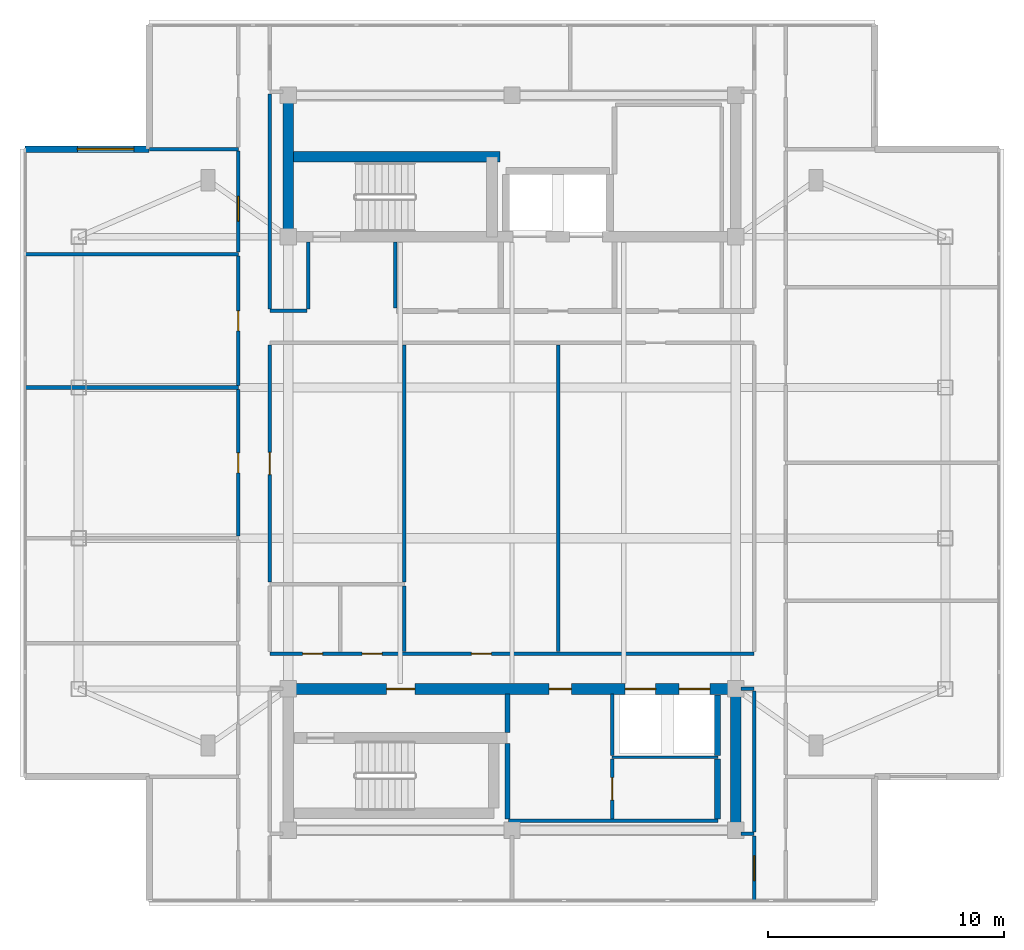
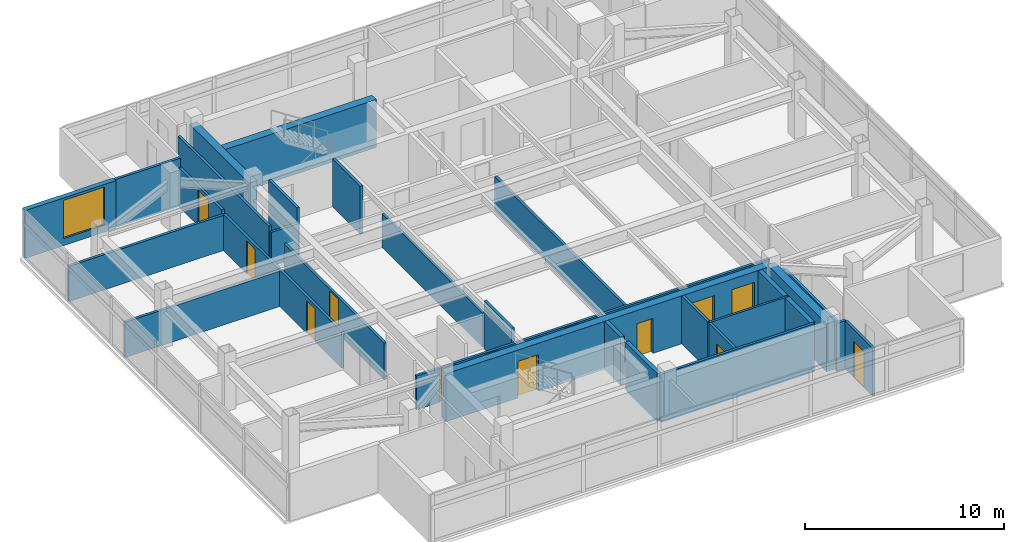
# One storey, part 6 of 11: 32 walls, 13 doors, 1 window, 14 openings.
"""IFC4 building model written with IfcOpenShell, lengths in metres."""

from ifc_helpers import new_model, si_unit, direction, frame, frame_2d, origin, place, context, subcontext, project, spatial, rectangle, extrude, material, layer, layer_set, type_object, element, fill, save


model = new_model("IFC4")

# Units and contexts
model_context = context("Model", 3, precision=1e-05, world=origin(), true_north=direction((0.0, 1.0)))
body_context = subcontext(model_context, "Body", "Model", "MODEL_VIEW")
ifc_project = project(units=[si_unit("LENGTHUNIT", "METRE"), si_unit("AREAUNIT", "SQUARE_METRE"), si_unit("VOLUMEUNIT", "CUBIC_METRE"), si_unit("PLANEANGLEUNIT", "RADIAN"), si_unit("MASSUNIT", "GRAM", prefix="KILO")], contexts=[model_context])

# Site, building, storey
site_placement = place(None, origin())
site = spatial("IfcSite", under=ifc_project, at=site_placement, CompositionType="ELEMENT")
building_placement = place(site_placement, origin())
building = spatial("IfcBuilding", under=site, at=building_placement, Name="Mirazonda Arch Towers", CompositionType="ELEMENT")
storey_placement = place(building_placement, frame((0.0, 0.0, 259.89990234375)))
storey = spatial("IfcBuildingStorey", under=building, at=storey_placement, Name="L74", CompositionType="ELEMENT", Elevation=259.89990234375)

# Walls
ifc_material_1 = material(Name="Concrete C50/60", Category="concrete")
ifc_layer_1 = layer(ifc_material_1, 0.449951171875, Name="WALL-CORE-450")
ifc_layer_set_1 = layer_set([ifc_layer_1], Name="Concrete C50/60")
wall_type_1 = type_object("IfcWallType", Name="WALL-CORE-450", PredefinedType="SHEAR", material=ifc_layer_set_1)
wall_1_placement = place(storey_placement, frame((11.0, 37.60009765625, 0.0), z_axis=(0.0, 0.0, 1.0), x_axis=(0.0, 1.0, 0.0)))
element("IfcWall", 1, at=wall_1_placement, inside=storey, type_object=wall_type_1, Name="L74 T1N-W Core Shear Wall", PredefinedType="SHEAR", context=body_context, shape_type="SweptSolid", body=[
    extrude(rectangle(XDim=6.0, YDim=0.449951171875, at=frame_2d((3.0, 0.0))), origin(), (0.0, 0.0, 1.0), 2.9501953125),
])
wall_2_placement = place(storey_placement, frame((11.0, 40.992919921875, 0.0), z_axis=(0.0, 0.0, 1.0), x_axis=(1.0, 0.0, 0.0)))
element("IfcWall", 2, at=wall_2_placement, inside=storey, type_object=wall_type_1, Name="L74 T1N-STN Core Shear Wall", PredefinedType="SHEAR", context=body_context, shape_type="SweptSolid", body=[
    extrude(rectangle(XDim=9.0, YDim=0.449951171875, at=frame_2d((4.5, 0.0))), origin(), (0.0, 0.0, 1.0), 2.9501953125),
])
wall_3_placement = place(storey_placement, frame((30.0, 12.39990234375, 0.0), z_axis=(0.0, 0.0, 1.0), x_axis=(0.0, 1.0, 0.0)))
element("IfcWall", 3, at=wall_3_placement, inside=storey, type_object=wall_type_1, Name="L74 T1S-E Core Shear Wall", PredefinedType="SHEAR", context=body_context, shape_type="SweptSolid", body=[
    extrude(rectangle(XDim=6.0, YDim=0.449951171875, at=frame_2d((3.0, 0.0))), origin(), (0.0, 0.0, 1.0), 2.9501953125),
])

# Wall, openings, doors
wall_4_placement = place(storey_placement, frame((11.0, 18.39990234375, 0.0), z_axis=(0.0, 0.0, 1.0), x_axis=(1.0, 0.0, 0.0)))
wall_4 = element("IfcWall", 4, at=wall_4_placement, inside=storey, type_object=wall_type_1, Name="L74 T1S-N Core Shear Wall", PredefinedType="SHEAR", context=body_context, shape_type="SweptSolid", body=[
    extrude(rectangle(XDim=19.0, YDim=0.449951171875, at=frame_2d((9.5, 0.0))), origin(), (0.0, 0.0, 1.0), 2.9501953125),
])
opening_1_placement = place(wall_4_placement, frame((4.175048828125, 0.0, 0.0)))
opening_1 = element("IfcOpeningElement", 5, at=opening_1_placement, cuts=wall_4, Name="Opening DR-117", PredefinedType="OPENING", context=body_context, shape_type="SweptSolid", body=[
    extrude(rectangle(XDim=1.199951171875, YDim=2.25, at=frame_2d((0.60009765625, 1.125))), frame((0.0, 0.23486328125, 0.0), z_axis=(0.0, -1.0, 0.0), x_axis=(1.0, 0.0, 0.0)), (0.0, 0.0, 1.0), 0.469970703125),
])
opening_2_placement = place(wall_4_placement, frame((11.074951171875, 0.0, 0.0)))
opening_2 = element("IfcOpeningElement", 6, at=opening_2_placement, cuts=wall_4, Name="Opening DR-104", PredefinedType="OPENING", context=body_context, shape_type="SweptSolid", body=[
    extrude(rectangle(XDim=0.949951171875, YDim=2.14990234375, at=frame_2d((0.47509765625, 1.074951171875))), frame((0.0, 0.23486328125, 0.0), z_axis=(0.0, -1.0, 0.0), x_axis=(1.0, 0.0, 0.0)), (0.0, 0.0, 1.0), 0.469970703125),
])
opening_3_placement = place(wall_4_placement, frame((14.300048828125, 0.0, 0.0)))
opening_3 = element("IfcOpeningElement", 7, at=opening_3_placement, cuts=wall_4, Name="Opening LD-111", PredefinedType="OPENING", context=body_context, shape_type="SweptSolid", body=[
    extrude(rectangle(XDim=1.300048828125, YDim=2.300048828125, at=frame_2d((0.64990234375, 1.14990234375))), frame((0.0, 0.23486328125, 0.0), z_axis=(0.0, -1.0, 0.0), x_axis=(1.0, 0.0, 0.0)), (0.0, 0.0, 1.0), 0.469970703125),
])
opening_4_placement = place(wall_4_placement, frame((16.60009765625, 0.0, 0.0)))
opening_4 = element("IfcOpeningElement", 8, at=opening_4_placement, cuts=wall_4, Name="Opening LD-111", PredefinedType="OPENING", context=body_context, shape_type="SweptSolid", body=[
    extrude(rectangle(XDim=1.300048828125, YDim=2.300048828125, at=frame_2d((0.64990234375, 1.14990234375))), frame((0.0, 0.23486328125, 0.0), z_axis=(0.0, -1.0, 0.0), x_axis=(1.0, 0.0, 0.0)), (0.0, 0.0, 1.0), 0.469970703125),
])
ifc_material_2 = material(Name="Architectural Brushed Steel S355", Category="steel")
door_type_1 = type_object("IfcDoorType", Name="DOOR-FFL-FD90-1200", OperationType="NOTDEFINED", PredefinedType="DOOR", material=ifc_material_2)
door_1_placement = place(opening_1_placement, origin())
door_1 = element("IfcDoor", 9, at=door_1_placement, inside=storey, type_object=door_type_1, Name="L74 South Core Stair & Lift Lobby Door", OperationType="SINGLE_SWING_RIGHT", OverallHeight=2.25, OverallWidth=1.199951171875, PredefinedType="DOOR", context=body_context, shape_type="SweptSolid", body=[
    extrude(rectangle(XDim=1.199951171875, YDim=2.25, at=frame_2d((0.60009765625, 1.125))), frame((0.0, 0.02490234375, 0.0), z_axis=(0.0, -1.0, 0.0), x_axis=(1.0, 0.0, 0.0)), (0.0, 0.0, 1.0), 0.050048828125),
])
fill(opening_1, door_1)
door_type_2 = type_object("IfcDoorType", Name="DOOR-LIFT-LAND-1300", OperationType="NOTDEFINED", PredefinedType="DOOR", material=ifc_material_2)
door_2_placement = place(opening_3_placement, origin())
door_2 = element("IfcDoor", 10, at=door_2_placement, inside=storey, type_object=door_type_2, Name="L74 Lift Landing Sliding Door PL-T1H1", OperationType="DOUBLE_DOOR_SLIDING", OverallHeight=2.300048828125, OverallWidth=1.300048828125, PredefinedType="DOOR", context=body_context, shape_type="SweptSolid", body=[
    extrude(rectangle(XDim=1.300048828125, YDim=2.300048828125, at=frame_2d((0.64990234375, 1.14990234375))), frame((0.0, 0.02490234375, 0.0), z_axis=(0.0, -1.0, 0.0), x_axis=(1.0, 0.0, 0.0)), (0.0, 0.0, 1.0), 0.050048828125),
])
fill(opening_3, door_2)
door_3_placement = place(opening_4_placement, origin())
door_3 = element("IfcDoor", 11, at=door_3_placement, inside=storey, type_object=door_type_2, Name="L74 Lift Landing Sliding Door PL-T1H2", OperationType="DOUBLE_DOOR_SLIDING", OverallHeight=2.300048828125, OverallWidth=1.300048828125, PredefinedType="DOOR", context=body_context, shape_type="SweptSolid", body=[
    extrude(rectangle(XDim=1.300048828125, YDim=2.300048828125, at=frame_2d((0.64990234375, 1.14990234375))), frame((0.0, 0.02490234375, 0.0), z_axis=(0.0, -1.0, 0.0), x_axis=(1.0, 0.0, 0.0)), (0.0, 0.0, 1.0), 0.050048828125),
])
fill(opening_4, door_3)
door_type_3 = type_object("IfcDoorType", Name="DOOR-ROOM-950", OperationType="NOTDEFINED", PredefinedType="DOOR", material=ifc_material_2)
door_4_placement = place(opening_2_placement, origin())
door_4 = element("IfcDoor", 12, at=door_4_placement, inside=storey, type_object=door_type_3, Name="L74 Residents Wine Tasting Lounge Door", OperationType="SINGLE_SWING_RIGHT", OverallHeight=2.14990234375, OverallWidth=0.949951171875, PredefinedType="DOOR", context=body_context, shape_type="SweptSolid", body=[
    extrude(rectangle(XDim=0.949951171875, YDim=2.14990234375, at=frame_2d((0.47509765625, 1.074951171875))), frame((0.0, 0.02490234375, 0.0), z_axis=(0.0, -1.0, 0.0), x_axis=(1.0, 0.0, 0.0)), (0.0, 0.0, 1.0), 0.050048828125),
])
fill(opening_2, door_4)

# Wall, opening, window
ifc_material_3 = material(Name="Precast Concrete C40/50", Category="concrete")
ifc_layer_2 = layer(ifc_material_3, 0.280029296875, Name="WALL-EXT-WALL-280")
ifc_layer_set_2 = layer_set([ifc_layer_2], Name="Precast Concrete C40/50")
wall_type_2 = type_object("IfcWallType", Name="WALL-EXT-WALL-280", PredefinedType="SOLIDWALL", material=ifc_layer_set_2)
wall_5_placement = place(storey_placement, frame((5.094970703125, 41.319091796875, 0.0), z_axis=(0.0, 0.0, 1.0), x_axis=(-1.0, 0.0, 0.0)))
wall_5 = element("IfcWall", 13, at=wall_5_placement, inside=storey, type_object=wall_type_2, Name="L74 T1 Corner Notch Return Wall WL-L74-T1-CNW1", PredefinedType="SOLIDWALL", context=body_context, shape_type="SweptSolid", body=[
    extrude(rectangle(XDim=5.264892578125, YDim=0.280029296875, at=frame_2d((2.63232421875, 0.0))), origin(), (0.0, 0.0, 1.0), 2.93017578125),
])
opening_5_placement = place(wall_5_placement, frame((0.64990234375, 0.0, 0.429931640625)))
opening_5 = element("IfcOpeningElement", 14, at=opening_5_placement, cuts=wall_5, Name="Opening WN-121", PredefinedType="OPENING", context=body_context, shape_type="SweptSolid", body=[
    extrude(rectangle(XDim=2.39990234375, YDim=2.35009765625, at=frame_2d((1.199951171875, 1.175048828125))), frame((0.0, 0.14990234375, 0.0), z_axis=(0.0, -1.0, 0.0), x_axis=(1.0, 0.0, 0.0)), (0.0, 0.0, 1.0), 0.300048828125),
])
ifc_material_4 = material(Name="Insulated Low-E Solar Glass", Category="glass")
window_type = type_object("IfcWindowType", Name="WIN-PENT-2400x2350", PartitioningType="SINGLE_PANEL", PredefinedType="WINDOW", material=ifc_material_4)
window_placement = place(opening_5_placement, origin())
window = element("IfcWindow", 15, at=window_placement, inside=storey, type_object=window_type, Name="L74 Punched Facade Window WN-L74-T1-CNW1", OverallHeight=2.35009765625, OverallWidth=2.39990234375, PartitioningType="SINGLE_PANEL", PredefinedType="WINDOW", context=body_context, shape_type="SweptSolid", body=[
    extrude(rectangle(XDim=2.39990234375, YDim=2.35009765625, at=frame_2d((1.199951171875, 1.175048828125))), frame((0.0, 0.030029296875, 0.0), z_axis=(0.0, -1.0, 0.0), x_axis=(1.0, 0.0, 0.0)), (0.0, 0.0, 1.0), 0.06005859375),
])
fill(opening_5, window)

# Walls
ifc_material_5 = material(Name="Concrete C40/50", Category="concrete")
ifc_layer_3 = layer(ifc_material_5, 0.219970703125, Name="WALL-FFL-220")
ifc_layer_set_3 = layer_set([ifc_layer_3], Name="Concrete C40/50")
wall_type_3 = type_object("IfcWallType", Name="WALL-FFL-220", PredefinedType="SOLIDWALL", material=ifc_layer_set_3)
wall_6_placement = place(storey_placement, frame((20.31494140625, 12.885009765625, 0.0), z_axis=(0.0, 0.0, 1.0), x_axis=(0.0, 1.0, 0.0)))
element("IfcWall", 16, at=wall_6_placement, inside=storey, type_object=wall_type_3, Name="L74 Interior Partition 049", PredefinedType="SOLIDWALL", context=body_context, shape_type="SweptSolid", body=[
    extrude(rectangle(XDim=3.199951171875, YDim=0.219970703125, at=frame_2d((1.60009765625, 0.0))), origin(), (0.0, 0.0, 1.0), 2.9501953125),
])
wall_7_placement = place(storey_placement, frame((20.31494140625, 16.554931640625, 0.0), z_axis=(0.0, 0.0, 1.0), x_axis=(0.0, 1.0, 0.0)))
element("IfcWall", 17, at=wall_7_placement, inside=storey, type_object=wall_type_3, Name="L74 Interior Partition 050", PredefinedType="SOLIDWALL", context=body_context, shape_type="SweptSolid", body=[
    extrude(rectangle(XDim=1.625, YDim=0.219970703125, at=frame_2d((0.8125, 0.0))), origin(), (0.0, 0.0, 1.0), 2.9501953125),
])
ifc_material_6 = material(Name="Fire-Rated Gypsum Stud Partition")
ifc_layer_4 = layer(ifc_material_6, 0.14990234375, Name="WALL-PART-CORR-150")
ifc_layer_set_4 = layer_set([ifc_layer_4], Name="Fire-Rated Gypsum Stud Partition")
wall_type_4 = type_object("IfcWallType", Name="WALL-PART-CORR-150", PredefinedType="PARTITIONING", material=ifc_layer_set_4)
wall_8_placement = place(storey_placement, frame((30.219970703125, 12.25, 0.0), z_axis=(0.0, 0.0, 1.0), x_axis=(1.0, 0.0, 0.0)))
element("IfcWall", 18, at=wall_8_placement, inside=storey, type_object=wall_type_4, Name="L74 Interior Partition 002", PredefinedType="PARTITIONING", context=body_context, shape_type="SweptSolid", body=[
    extrude(rectangle(XDim=0.56005859375, YDim=0.14990234375, at=frame_2d((0.280029296875, 0.0))), origin(), (0.0, 0.0, 1.0), 2.9501953125),
])
wall_9_placement = place(storey_placement, frame((20.35009765625, 12.800048828125, 0.0), z_axis=(0.0, 0.0, 1.0), x_axis=(1.0, 0.0, 0.0)))
element("IfcWall", 19, at=wall_9_placement, inside=storey, type_object=wall_type_4, Name="L74 Interior Partition 003", PredefinedType="PARTITIONING", context=body_context, shape_type="SweptSolid", body=[
    extrude(rectangle(XDim=8.89990234375, YDim=0.14990234375, at=frame_2d((4.449951171875, 0.0))), origin(), (0.0, 0.0, 1.0), 2.9501953125),
])
wall_10_placement = place(storey_placement, frame((30.219970703125, 18.39990234375, 0.0), z_axis=(0.0, 0.0, 1.0), x_axis=(1.0, 0.0, 0.0)))
element("IfcWall", 20, at=wall_10_placement, inside=storey, type_object=wall_type_4, Name="L74 Interior Partition 010", PredefinedType="PARTITIONING", context=body_context, shape_type="SweptSolid", body=[
    extrude(rectangle(XDim=0.56005859375, YDim=0.14990234375, at=frame_2d((0.280029296875, 0.0))), origin(), (0.0, 0.0, 1.0), 2.39306640625),
])

# Wall, openings, doors
wall_11_placement = place(storey_placement, frame((10.219970703125, 19.89990234375, 0.0), z_axis=(0.0, 0.0, 1.0), x_axis=(1.0, 0.0, 0.0)))
wall_11 = element("IfcWall", 21, at=wall_11_placement, inside=storey, type_object=wall_type_4, Name="L74 Interior Partition 011", PredefinedType="PARTITIONING", context=body_context, shape_type="SweptSolid", body=[
    extrude(rectangle(XDim=20.56005859375, YDim=0.14990234375, at=frame_2d((10.280029296875, 0.0))), origin(), (0.0, 0.0, 1.0), 2.086181640625),
])
opening_6_placement = place(wall_11_placement, frame((1.385009765625, 0.0, 0.0)))
opening_6 = element("IfcOpeningElement", 22, at=opening_6_placement, cuts=wall_11, Name="Opening DR-128", PredefinedType="OPENING", context=body_context, shape_type="SweptSolid", body=[
    extrude(rectangle(XDim=0.85009765625, YDim=2.010009765625, at=frame_2d((0.425048828125, 1.0048828125))), frame((0.0, 0.0849609375, 0.0), z_axis=(0.0, -1.0, 0.0), x_axis=(1.0, 0.0, 0.0)), (0.0, 0.0, 1.0), 0.169921875),
])
opening_7_placement = place(wall_11_placement, frame((3.919921875, 0.0, 0.0)))
opening_7 = element("IfcOpeningElement", 23, at=opening_7_placement, cuts=wall_11, Name="Opening DR-128", PredefinedType="OPENING", context=body_context, shape_type="SweptSolid", body=[
    extrude(rectangle(XDim=0.85009765625, YDim=2.010009765625, at=frame_2d((0.425048828125, 1.0048828125))), frame((0.0, 0.0849609375, 0.0), z_axis=(0.0, -1.0, 0.0), x_axis=(1.0, 0.0, 0.0)), (0.0, 0.0, 1.0), 0.169921875),
])
opening_8_placement = place(wall_11_placement, frame((8.552001953125, 0.0, 0.0)))
opening_8 = element("IfcOpeningElement", 24, at=opening_8_placement, cuts=wall_11, Name="Opening DR-128", PredefinedType="OPENING", context=body_context, shape_type="SweptSolid", body=[
    extrude(rectangle(XDim=0.85009765625, YDim=2.010009765625, at=frame_2d((0.425048828125, 1.0048828125))), frame((0.0, 0.0849609375, 0.0), z_axis=(0.0, -1.0, 0.0), x_axis=(1.0, 0.0, 0.0)), (0.0, 0.0, 1.0), 0.169921875),
])
door_type_4 = type_object("IfcDoorType", Name="DOOR-RISER-FD60-850", OperationType="NOTDEFINED", PredefinedType="DOOR", material=ifc_material_2)
door_5_placement = place(opening_6_placement, origin())
door_5 = element("IfcDoor", 25, at=door_5_placement, inside=storey, type_object=door_type_4, Name="L74 Common Accessible WC Door", OperationType="SINGLE_SWING_RIGHT", OverallHeight=2.010009765625, OverallWidth=0.85009765625, PredefinedType="DOOR", context=body_context, shape_type="SweptSolid", body=[
    extrude(rectangle(XDim=0.85009765625, YDim=2.010009765625, at=frame_2d((0.425048828125, 1.0048828125))), frame((0.0, 0.02490234375, 0.0), z_axis=(0.0, -1.0, 0.0), x_axis=(1.0, 0.0, 0.0)), (0.0, 0.0, 1.0), 0.050048828125),
])
fill(opening_6, door_5)
door_6_placement = place(opening_7_placement, origin())
door_6 = element("IfcDoor", 26, at=door_6_placement, inside=storey, type_object=door_type_4, Name="L74 L74 West Courtyard Study Door", OperationType="SINGLE_SWING_RIGHT", OverallHeight=2.010009765625, OverallWidth=0.85009765625, PredefinedType="DOOR", context=body_context, shape_type="SweptSolid", body=[
    extrude(rectangle(XDim=0.85009765625, YDim=2.010009765625, at=frame_2d((0.425048828125, 1.0048828125))), frame((0.0, 0.02490234375, 0.0), z_axis=(0.0, -1.0, 0.0), x_axis=(1.0, 0.0, 0.0)), (0.0, 0.0, 1.0), 0.050048828125),
])
fill(opening_7, door_6)
door_7_placement = place(opening_8_placement, origin())
door_7 = element("IfcDoor", 27, at=door_7_placement, inside=storey, type_object=door_type_4, Name="L74 Sky-Atrium Orientation Gallery Door", OperationType="SINGLE_SWING_RIGHT", OverallHeight=2.010009765625, OverallWidth=0.85009765625, PredefinedType="DOOR", context=body_context, shape_type="SweptSolid", body=[
    extrude(rectangle(XDim=0.85009765625, YDim=2.010009765625, at=frame_2d((0.425048828125, 1.0048828125))), frame((0.0, 0.02490234375, 0.0), z_axis=(0.0, -1.0, 0.0), x_axis=(1.0, 0.0, 0.0)), (0.0, 0.0, 1.0), 0.050048828125),
])
fill(opening_8, door_7)

# Walls
wall_12_placement = place(storey_placement, frame((-0.169921875, 31.199951171875, 0.0), z_axis=(0.0, 0.0, 1.0), x_axis=(1.0, 0.0, 0.0)))
element("IfcWall", 28, at=wall_12_placement, inside=storey, type_object=wall_type_4, Name="L74 Interior Partition 017", PredefinedType="PARTITIONING", context=body_context, shape_type="SweptSolid", body=[
    extrude(rectangle(XDim=9.0498046875, YDim=0.14990234375, at=frame_2d((4.52490234375, 0.0))), origin(), (0.0, 0.0, 1.0), 2.169189453125),
])
wall_13_placement = place(storey_placement, frame((10.219970703125, 34.449951171875, 0.0), z_axis=(0.0, 0.0, 1.0), x_axis=(1.0, 0.0, 0.0)))
element("IfcWall", 29, at=wall_13_placement, inside=storey, type_object=wall_type_4, Name="L74 Interior Partition 019", PredefinedType="PARTITIONING", context=body_context, shape_type="SweptSolid", body=[
    extrude(rectangle(XDim=1.580078125, YDim=0.14990234375, at=frame_2d((0.7900390625, 0.0))), origin(), (0.0, 0.0, 1.0), 2.086181640625),
])
wall_14_placement = place(storey_placement, frame((-0.169921875, 36.866943359375, 0.0), z_axis=(0.0, 0.0, 1.0), x_axis=(1.0, 0.0, 0.0)))
element("IfcWall", 30, at=wall_14_placement, inside=storey, type_object=wall_type_4, Name="L74 Interior Partition 022", PredefinedType="PARTITIONING", context=body_context, shape_type="SweptSolid", body=[
    extrude(rectangle(XDim=9.0498046875, YDim=0.14990234375, at=frame_2d((4.52490234375, 0.0))), origin(), (0.0, 0.0, 1.0), 2.169189453125),
])
wall_15_placement = place(storey_placement, frame((5.114990234375, 41.319091796875, 0.0), z_axis=(0.0, 0.0, 1.0), x_axis=(1.0, 0.0, 0.0)))
element("IfcWall", 31, at=wall_15_placement, inside=storey, type_object=wall_type_4, Name="L74 Interior Partition 024", PredefinedType="PARTITIONING", context=body_context, shape_type="SweptSolid", body=[
    extrude(rectangle(XDim=3.764892578125, YDim=0.14990234375, at=frame_2d((1.88232421875, 0.0))), origin(), (0.0, 0.0, 1.0), 2.9501953125),
])

# Wall, opening, door
wall_16_placement = place(storey_placement, frame((8.8798828125, 24.885009765625, 0.0), z_axis=(0.0, 0.0, 1.0), x_axis=(0.0, 1.0, 0.0)))
wall_16 = element("IfcWall", 32, at=wall_16_placement, inside=storey, type_object=wall_type_4, Name="L74 Interior Partition 032", PredefinedType="PARTITIONING", context=body_context, shape_type="SweptSolid", body=[
    extrude(rectangle(XDim=6.22998046875, YDim=0.14990234375, at=frame_2d((3.114990234375, 0.0))), origin(), (0.0, 0.0, 1.0), 2.24609375),
])
opening_9_placement = place(wall_16_placement, frame((2.68994140625, 0.0, 0.0)))
opening_9 = element("IfcOpeningElement", 33, at=opening_9_placement, cuts=wall_16, Name="Opening DR-128", PredefinedType="OPENING", context=body_context, shape_type="SweptSolid", body=[
    extrude(rectangle(XDim=0.85009765625, YDim=2.010009765625, at=frame_2d((0.425048828125, 1.0048828125))), frame((0.0, 0.0849609375, 0.0), z_axis=(0.0, -1.0, 0.0), x_axis=(1.0, 0.0, 0.0)), (0.0, 0.0, 1.0), 0.169921875),
])
door_8_placement = place(opening_9_placement, origin())
door_8 = element("IfcDoor", 34, at=door_8_placement, inside=storey, type_object=door_type_4, Name="L74 High-Altitude Telescope Salon 2 Door", OperationType="SINGLE_SWING_LEFT", OverallHeight=2.010009765625, OverallWidth=0.85009765625, PredefinedType="DOOR", context=body_context, shape_type="SweptSolid", body=[
    extrude(rectangle(XDim=0.85009765625, YDim=2.010009765625, at=frame_2d((0.425048828125, 1.0048828125))), frame((0.0, 0.02490234375, 0.0), z_axis=(0.0, -1.0, 0.0), x_axis=(1.0, 0.0, 0.0)), (0.0, 0.0, 1.0), 0.050048828125),
])
fill(opening_9, door_8)

wall_17_placement = place(storey_placement, frame((8.8798828125, 31.284912109375, 0.0), z_axis=(0.0, 0.0, 1.0), x_axis=(0.0, 1.0, 0.0)))
wall_17 = element("IfcWall", 35, at=wall_17_placement, inside=storey, type_object=wall_type_4, Name="L74 Interior Partition 033", PredefinedType="PARTITIONING", context=body_context, shape_type="SweptSolid", body=[
    extrude(rectangle(XDim=5.4970703125, YDim=0.14990234375, at=frame_2d((2.74853515625, 0.0))), origin(), (0.0, 0.0, 1.0), 2.24609375),
])
opening_10_placement = place(wall_17_placement, frame((2.323486328125, 0.0, 0.0)))
opening_10 = element("IfcOpeningElement", 36, at=opening_10_placement, cuts=wall_17, Name="Opening DR-128", PredefinedType="OPENING", context=body_context, shape_type="SweptSolid", body=[
    extrude(rectangle(XDim=0.85009765625, YDim=2.010009765625, at=frame_2d((0.425048828125, 1.0048828125))), frame((0.0, 0.0849609375, 0.0), z_axis=(0.0, -1.0, 0.0), x_axis=(1.0, 0.0, 0.0)), (0.0, 0.0, 1.0), 0.169921875),
])
door_9_placement = place(opening_10_placement, origin())
door_9 = element("IfcDoor", 37, at=door_9_placement, inside=storey, type_object=door_type_4, Name="L74 Sky-Lookout Espresso & Patisserie Bar 3 Door", OperationType="SINGLE_SWING_RIGHT", OverallHeight=2.010009765625, OverallWidth=0.85009765625, PredefinedType="DOOR", context=body_context, shape_type="SweptSolid", body=[
    extrude(rectangle(XDim=0.85009765625, YDim=2.010009765625, at=frame_2d((0.425048828125, 1.0048828125))), frame((0.0, 0.02490234375, 0.0), z_axis=(0.0, -1.0, 0.0), x_axis=(1.0, 0.0, 0.0)), (0.0, 0.0, 1.0), 0.050048828125),
])
fill(opening_10, door_9)

wall_18_placement = place(storey_placement, frame((8.8798828125, 36.951904296875, 0.0), z_axis=(0.0, 0.0, 1.0), x_axis=(0.0, 1.0, 0.0)))
wall_18 = element("IfcWall", 38, at=wall_18_placement, inside=storey, type_object=wall_type_4, Name="L74 Interior Partition 034", PredefinedType="PARTITIONING", context=body_context, shape_type="SweptSolid", body=[
    extrude(rectangle(XDim=4.281982421875, YDim=0.14990234375, at=frame_2d((2.14111328125, 0.0))), origin(), (0.0, 0.0, 1.0), 2.39306640625),
])
opening_11_placement = place(wall_18_placement, frame((1.31591796875, 0.0, 0.0)))
opening_11 = element("IfcOpeningElement", 39, at=opening_11_placement, cuts=wall_18, Name="Opening DR-121", PredefinedType="OPENING", context=body_context, shape_type="SweptSolid", body=[
    extrude(rectangle(XDim=1.050048828125, YDim=2.199951171875, at=frame_2d((0.52490234375, 1.10009765625))), frame((0.0, 0.0849609375, 0.0), z_axis=(0.0, -1.0, 0.0), x_axis=(1.0, 0.0, 0.0)), (0.0, 0.0, 1.0), 0.169921875),
])
door_type_5 = type_object("IfcDoorType", Name="DOOR-SUITE-FD60-1050", OperationType="NOTDEFINED", PredefinedType="DOOR", material=ifc_material_2)
door_10_placement = place(opening_11_placement, origin())
door_10 = element("IfcDoor", 40, at=door_10_placement, inside=storey, type_object=door_type_5, Name="L74 Souvenir & Exhibition Reading Room 3B Door", OperationType="SINGLE_SWING_LEFT", OverallHeight=2.199951171875, OverallWidth=1.050048828125, PredefinedType="DOOR", context=body_context, shape_type="SweptSolid", body=[
    extrude(rectangle(XDim=1.050048828125, YDim=2.199951171875, at=frame_2d((0.52490234375, 1.10009765625))), frame((0.0, 0.02490234375, 0.0), z_axis=(0.0, -1.0, 0.0), x_axis=(1.0, 0.0, 0.0)), (0.0, 0.0, 1.0), 0.050048828125),
])
fill(opening_11, door_10)

wall_19_placement = place(storey_placement, frame((10.219970703125, 22.93505859375, 0.0), z_axis=(0.0, 0.0, 1.0), x_axis=(0.0, 1.0, 0.0)))
wall_19 = element("IfcWall", 41, at=wall_19_placement, inside=storey, type_object=wall_type_4, Name="L74 Interior Partition 039", PredefinedType="PARTITIONING", context=body_context, shape_type="SweptSolid", body=[
    extrude(rectangle(XDim=10.079833984375, YDim=0.14990234375, at=frame_2d((5.0400390625, 0.0))), origin(), (0.0, 0.0, 1.0), 2.24609375),
])
opening_12_placement = place(wall_19_placement, frame((4.56494140625, 0.0, 0.0)))
opening_12 = element("IfcOpeningElement", 42, at=opening_12_placement, cuts=wall_19, Name="Opening DR-104", PredefinedType="OPENING", context=body_context, shape_type="SweptSolid", body=[
    extrude(rectangle(XDim=0.949951171875, YDim=2.14990234375, at=frame_2d((0.47509765625, 1.074951171875))), frame((0.0, 0.0849609375, 0.0), z_axis=(0.0, -1.0, 0.0), x_axis=(1.0, 0.0, 0.0)), (0.0, 0.0, 1.0), 0.169921875),
])
door_11_placement = place(opening_12_placement, origin())
door_11 = element("IfcDoor", 43, at=door_11_placement, inside=storey, type_object=door_type_3, Name="L74 L74 West Courtyard Salon Door", OperationType="SINGLE_SWING_LEFT", OverallHeight=2.14990234375, OverallWidth=0.949951171875, PredefinedType="DOOR", context=body_context, shape_type="SweptSolid", body=[
    extrude(rectangle(XDim=0.949951171875, YDim=2.14990234375, at=frame_2d((0.47509765625, 1.074951171875))), frame((0.0, 0.02490234375, 0.0), z_axis=(0.0, -1.0, 0.0), x_axis=(1.0, 0.0, 0.0)), (0.0, 0.0, 1.0), 0.050048828125),
])
fill(opening_12, door_11)

# Walls
wall_20_placement = place(storey_placement, frame((10.219970703125, 34.534912109375, 0.0), z_axis=(0.0, 0.0, 1.0), x_axis=(0.0, 1.0, 0.0)))
element("IfcWall", 44, at=wall_20_placement, inside=storey, type_object=wall_type_4, Name="L74 Interior Partition 040", PredefinedType="PARTITIONING", context=body_context, shape_type="SweptSolid", body=[
    extrude(rectangle(XDim=9.130126953125, YDim=0.14990234375, at=frame_2d((4.56494140625, 0.0))), origin(), (0.0, 0.0, 1.0), 2.39306640625),
])
wall_21_placement = place(storey_placement, frame((11.85009765625, 34.534912109375, 0.0), z_axis=(0.0, 0.0, 1.0), x_axis=(0.0, 1.0, 0.0)))
element("IfcWall", 45, at=wall_21_placement, inside=storey, type_object=wall_type_4, Name="L74 Interior Partition 042", PredefinedType="PARTITIONING", context=body_context, shape_type="SweptSolid", body=[
    extrude(rectangle(XDim=2.844970703125, YDim=0.14990234375, at=frame_2d((1.42236328125, 0.0))), origin(), (0.0, 0.0, 1.0), 2.9501953125),
])
wall_22_placement = place(storey_placement, frame((15.550048828125, 34.570068359375, 0.0), z_axis=(0.0, 0.0, 1.0), x_axis=(0.0, 1.0, 0.0)))
element("IfcWall", 46, at=wall_22_placement, inside=storey, type_object=wall_type_4, Name="L74 Interior Partition 044", PredefinedType="PARTITIONING", context=body_context, shape_type="SweptSolid", body=[
    extrude(rectangle(XDim=2.809814453125, YDim=0.14990234375, at=frame_2d((1.40478515625, 0.0))), origin(), (0.0, 0.0, 1.0), 2.9501953125),
])
wall_23_placement = place(storey_placement, frame((15.929931640625, 19.985107421875, 0.0), z_axis=(0.0, 0.0, 1.0), x_axis=(0.0, 1.0, 0.0)))
element("IfcWall", 47, at=wall_23_placement, inside=storey, type_object=wall_type_4, Name="L74 Interior Partition 045", PredefinedType="PARTITIONING", context=body_context, shape_type="SweptSolid", body=[
    extrude(rectangle(XDim=2.77978515625, YDim=0.14990234375, at=frame_2d((1.389892578125, 0.0))), origin(), (0.0, 0.0, 1.0), 2.9501953125),
])
wall_24_placement = place(storey_placement, frame((15.929931640625, 22.93505859375, 0.0), z_axis=(0.0, 0.0, 1.0), x_axis=(0.0, 1.0, 0.0)))
element("IfcWall", 48, at=wall_24_placement, inside=storey, type_object=wall_type_4, Name="L74 Interior Partition 046", PredefinedType="PARTITIONING", context=body_context, shape_type="SweptSolid", body=[
    extrude(rectangle(XDim=10.079833984375, YDim=0.14990234375, at=frame_2d((5.0400390625, 0.0))), origin(), (0.0, 0.0, 1.0), 2.086181640625),
])
wall_25_placement = place(storey_placement, frame((22.464111328125, 19.985107421875, 0.0), z_axis=(0.0, 0.0, 1.0), x_axis=(0.0, 1.0, 0.0)))
element("IfcWall", 49, at=wall_25_placement, inside=storey, type_object=wall_type_4, Name="L74 Interior Partition 053", PredefinedType="PARTITIONING", context=body_context, shape_type="SweptSolid", body=[
    extrude(rectangle(XDim=13.02978515625, YDim=0.14990234375, at=frame_2d((6.514892578125, 0.0))), origin(), (0.0, 0.0, 1.0), 2.086181640625),
])

# Wall, opening, door
wall_26_placement = place(storey_placement, frame((24.75, 12.885009765625, 0.0), z_axis=(0.0, 0.0, 1.0), x_axis=(0.0, 1.0, 0.0)))
wall_26 = element("IfcWall", 50, at=wall_26_placement, inside=storey, type_object=wall_type_4, Name="L74 Interior Partition 055", PredefinedType="PARTITIONING", context=body_context, shape_type="SweptSolid", body=[
    extrude(rectangle(XDim=2.54248046875, YDim=0.14990234375, at=frame_2d((1.271240234375, 0.0))), origin(), (0.0, 0.0, 1.0), 2.9501953125),
])
opening_13_placement = place(wall_26_placement, frame((0.79638671875, 0.0, 0.0)))
opening_13 = element("IfcOpeningElement", 51, at=opening_13_placement, cuts=wall_26, Name="Opening DR-104", PredefinedType="OPENING", context=body_context, shape_type="SweptSolid", body=[
    extrude(rectangle(XDim=0.949951171875, YDim=2.14990234375, at=frame_2d((0.47509765625, 1.074951171875))), frame((0.0, 0.0849609375, 0.0), z_axis=(0.0, -1.0, 0.0), x_axis=(1.0, 0.0, 0.0)), (0.0, 0.0, 1.0), 0.169921875),
])
door_12_placement = place(opening_13_placement, origin())
door_12 = element("IfcDoor", 52, at=door_12_placement, inside=storey, type_object=door_type_3, Name="L74 Residents Private Archive Study Door", OperationType="SINGLE_SWING_LEFT", OverallHeight=2.14990234375, OverallWidth=0.949951171875, PredefinedType="DOOR", context=body_context, shape_type="SweptSolid", body=[
    extrude(rectangle(XDim=0.949951171875, YDim=2.14990234375, at=frame_2d((0.47509765625, 1.074951171875))), frame((0.0, 0.02490234375, 0.0), z_axis=(0.0, -1.0, 0.0), x_axis=(1.0, 0.0, 0.0)), (0.0, 0.0, 1.0), 0.050048828125),
])
fill(opening_13, door_12)

# Wall
wall_27_placement = place(storey_placement, frame((24.75, 15.572509765625, 0.0), z_axis=(0.0, 0.0, 1.0), x_axis=(0.0, 1.0, 0.0)))
element("IfcWall", 53, at=wall_27_placement, inside=storey, type_object=wall_type_4, Name="L74 Interior Partition 056", PredefinedType="PARTITIONING", context=body_context, shape_type="SweptSolid", body=[
    extrude(rectangle(XDim=2.607421875, YDim=0.14990234375, at=frame_2d((1.3037109375, 0.0))), origin(), (0.0, 0.0, 1.0), 2.9501953125),
])

# Wall, opening, door
wall_28_placement = place(storey_placement, frame((30.780029296875, 9.416015625, 0.0), z_axis=(0.0, 0.0, 1.0), x_axis=(0.0, 1.0, 0.0)))
wall_28 = element("IfcWall", 54, at=wall_28_placement, inside=storey, type_object=wall_type_4, Name="L74 Interior Partition 064", PredefinedType="PARTITIONING", context=body_context, shape_type="SweptSolid", body=[
    extrude(rectangle(XDim=2.7490234375, YDim=0.14990234375, at=frame_2d((1.37451171875, 0.0))), origin(), (0.0, 0.0, 1.0), 2.9501953125),
])
opening_14_placement = place(wall_28_placement, frame((0.849609375, 0.0, 0.0)))
opening_14 = element("IfcOpeningElement", 55, at=opening_14_placement, cuts=wall_28, Name="Opening DR-121", PredefinedType="OPENING", context=body_context, shape_type="SweptSolid", body=[
    extrude(rectangle(XDim=1.050048828125, YDim=2.199951171875, at=frame_2d((0.52490234375, 1.10009765625))), frame((0.0, 0.0849609375, 0.0), z_axis=(0.0, -1.0, 0.0), x_axis=(1.0, 0.0, 0.0)), (0.0, 0.0, 1.0), 0.169921875),
])
door_13_placement = place(opening_14_placement, origin())
door_13 = element("IfcDoor", 56, at=door_13_placement, inside=storey, type_object=door_type_5, Name="L74 South Lookout Salon East Door", OperationType="SINGLE_SWING_LEFT", OverallHeight=2.199951171875, OverallWidth=1.050048828125, PredefinedType="DOOR", context=body_context, shape_type="SweptSolid", body=[
    extrude(rectangle(XDim=1.050048828125, YDim=2.199951171875, at=frame_2d((0.52490234375, 1.10009765625))), frame((0.0, 0.02490234375, 0.0), z_axis=(0.0, -1.0, 0.0), x_axis=(1.0, 0.0, 0.0)), (0.0, 0.0, 1.0), 0.050048828125),
])
fill(opening_14, door_13)

# Walls
wall_29_placement = place(storey_placement, frame((30.780029296875, 12.3349609375, 0.0), z_axis=(0.0, 0.0, 1.0), x_axis=(0.0, 1.0, 0.0)))
element("IfcWall", 57, at=wall_29_placement, inside=storey, type_object=wall_type_4, Name="L74 Interior Partition 065", PredefinedType="PARTITIONING", context=body_context, shape_type="SweptSolid", body=[
    extrude(rectangle(XDim=5.97998046875, YDim=0.14990234375, at=frame_2d((2.989990234375, 0.0))), origin(), (0.0, 0.0, 1.0), 2.39306640625),
])
ifc_material_7 = material(Name="Acoustic Fire-Rated Gypsum Partition")
ifc_layer_5 = layer(ifc_material_7, 0.125, Name="WALL-PART-UNIT-125")
ifc_layer_set_5 = layer_set([ifc_layer_5], Name="Acoustic Fire-Rated Gypsum Partition")
wall_type_5 = type_object("IfcWallType", Name="WALL-PART-UNIT-125", PredefinedType="PARTITIONING", material=ifc_layer_set_5)
wall_30_placement = place(storey_placement, frame((24.75, 15.5, 0.0), z_axis=(0.0, 0.0, 1.0), x_axis=(1.0, 0.0, 0.0)))
element("IfcWall", 58, at=wall_30_placement, inside=storey, type_object=wall_type_5, Name="L74 Interior Partition 007", PredefinedType="PARTITIONING", context=body_context, shape_type="SweptSolid", body=[
    extrude(rectangle(XDim=4.5, YDim=0.125, at=frame_2d((2.25, 0.0))), origin(), (0.0, 0.0, 1.0), 2.9501953125),
])
ifc_layer_6 = layer(ifc_material_5, 0.25, Name="WALL-SHAFT-250")
ifc_layer_set_6 = layer_set([ifc_layer_6], Name="Concrete C40/50")
wall_type_6 = type_object("IfcWallType", Name="WALL-SHAFT-250", PredefinedType="SOLIDWALL", material=ifc_layer_set_6)
wall_31_placement = place(storey_placement, frame((29.22509765625, 12.885009765625, 0.0), z_axis=(0.0, 0.0, 1.0), x_axis=(0.0, 1.0, 0.0)))
element("IfcWall", 59, at=wall_31_placement, inside=storey, type_object=wall_type_6, Name="L74 Interior Partition 060", PredefinedType="SOLIDWALL", context=body_context, shape_type="SweptSolid", body=[
    extrude(rectangle(XDim=2.54248046875, YDim=0.25, at=frame_2d((1.271240234375, 0.0))), origin(), (0.0, 0.0, 1.0), 2.9501953125),
])
wall_32_placement = place(storey_placement, frame((29.22509765625, 15.572509765625, 0.0), z_axis=(0.0, 0.0, 1.0), x_axis=(0.0, 1.0, 0.0)))
element("IfcWall", 60, at=wall_32_placement, inside=storey, type_object=wall_type_6, Name="L74 Interior Partition 061", PredefinedType="SOLIDWALL", context=body_context, shape_type="SweptSolid", body=[
    extrude(rectangle(XDim=2.577392578125, YDim=0.25, at=frame_2d((1.28857421875, 0.0))), origin(), (0.0, 0.0, 1.0), 2.9501953125),
])

save(model, "model.ifc")
